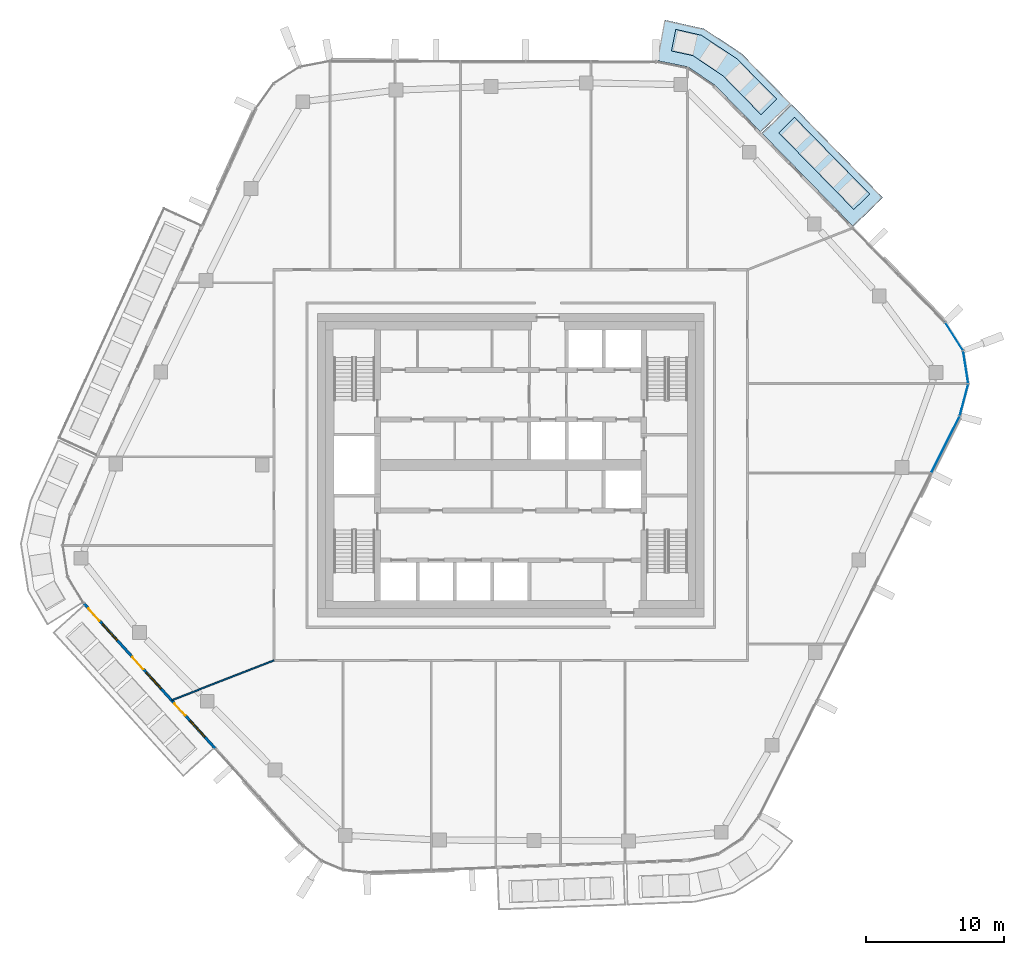
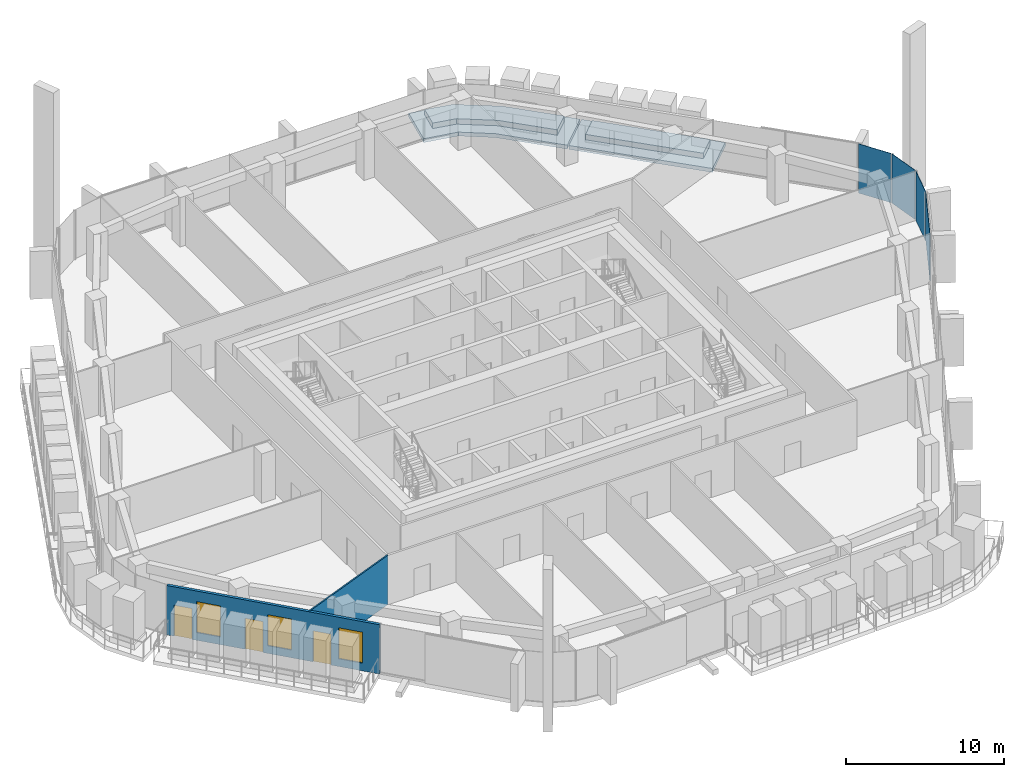
# One storey, part 12 of 24: 4 plates, 4 slabs, 3 doors, 3 windows, 2 walls, 6 openings, 2 elements without a shape of their own.
"""IFC4 building model written with IfcOpenShell, lengths in metres."""

import ifcopenshell
import ifcopenshell.guid

model = None  # the IFC model being written
_history = None  # IfcOwnerHistory: only IFC2X3 demands one
_inside = {}  # id of a spatial element -> (the spatial element, [elements in it])
_under = {}  # id of a project, library or spatial element -> (it, [spatial elements below it])
_declared = {}  # id of a project -> (the project, [libraries it declares])
_typed = {}  # id of a type object -> (the type object, [elements of that type])
_made_of = {}  # id of a material, layer set ... -> (it, [elements and type objects made of it])


def new_model(schema):
    """Start an empty IFC model of exactly this schema.

    Asked for "IFC4X3", IfcOpenShell would pick the latest addendum, in which some entities
    have other attributes; the version numbers below select the first issue.
    IFC2X3 requires an IfcOwnerHistory on every rooted entity: one is made here for all.
    """
    global model, _history
    if schema == "IFC4X3":
        model = ifcopenshell.file(schema_version=(4, 3, 0, 0))
    else:
        model = ifcopenshell.file(schema=schema)
    _inside.clear()
    _under.clear()
    _declared.clear()
    _typed.clear()
    _made_of.clear()
    _history = None
    if model.schema == "IFC2X3":
        org = make("IfcOrganization", Name="unknown")
        user = make(
            "IfcPersonAndOrganization",
            ThePerson=make("IfcPerson", FamilyName="unknown"),
            TheOrganization=org,
        )
        app = make(
            "IfcApplication",
            ApplicationDeveloper=org,
            Version="unknown",
            ApplicationFullName="unknown",
            ApplicationIdentifier="unknown",
        )
        _history = make(
            "IfcOwnerHistory",
            OwningUser=user,
            OwningApplication=app,
            ChangeAction="ADDED",
            CreationDate=0,
        )
    return model


def make(cls, **values):
    """One entity of the class cls with the attributes given. An attribute that is None is left unset."""
    return model.create_entity(
        cls, **{name: value for name, value in values.items() if value is not None}
    )


def rooted(cls, **values):
    """An entity with a GlobalId (a new one), such as an element, a storey or a relation."""
    return make(cls, GlobalId=ifcopenshell.guid.new(), OwnerHistory=_history, **values)


def si_unit(unit_type, name, prefix=None):
    """IfcSIUnit, for example si_unit("LENGTHUNIT", "METRE", prefix="MILLI")."""
    return make("IfcSIUnit", UnitType=unit_type, Prefix=prefix, Name=name)


def assignment(units):
    """IfcUnitAssignment: the units of a project."""
    return None if units is None else make("IfcUnitAssignment", Units=units)


def point(xyz):
    """IfcCartesianPoint."""
    return None if xyz is None else make("IfcCartesianPoint", Coordinates=xyz)


def direction(xyz):
    """IfcDirection."""
    return None if xyz is None else make("IfcDirection", DirectionRatios=xyz)


def frame(location, z_axis=None, x_axis=None):
    """IfcAxis2Placement3D, a coordinate frame: its origin and axes. An axis left out is left unset."""
    return make(
        "IfcAxis2Placement3D",
        Location=point(location),
        Axis=direction(z_axis),
        RefDirection=direction(x_axis),
    )


def frame_2d(location, x_axis=None):
    """IfcAxis2Placement2D, a coordinate frame in the plane: its origin and x axis."""
    return make(
        "IfcAxis2Placement2D", Location=point(location), RefDirection=direction(x_axis)
    )


def origin():
    """The frame at (0, 0, 0) with its axes left unset."""
    return frame((0.0, 0.0, 0.0))


def origin_2d():
    """The frame at (0, 0) in the plane with its x axis left unset."""
    return frame_2d((0.0, 0.0))


def place(relative_to, where):
    """IfcLocalPlacement: puts the frame where relative to a parent placement (None: the world)."""
    return make(
        "IfcLocalPlacement", PlacementRelTo=relative_to, RelativePlacement=where
    )


def context(
    kind, dimensions, precision=None, world=None, true_north=None, identifier=None
):
    """IfcGeometricRepresentationContext, for example the 3D "Model" context."""
    return make(
        "IfcGeometricRepresentationContext",
        ContextIdentifier=identifier,
        ContextType=kind,
        CoordinateSpaceDimension=dimensions,
        Precision=precision,
        WorldCoordinateSystem=world,
        TrueNorth=true_north,
    )


def subcontext(parent, identifier, kind, view, scale=None):
    """IfcGeometricRepresentationSubContext, for example "Body" below "Model"."""
    return make(
        "IfcGeometricRepresentationSubContext",
        ContextIdentifier=identifier,
        ContextType=kind,
        ParentContext=parent,
        TargetScale=scale,
        TargetView=view,
    )


def project(units=None, contexts=None):
    """IfcProject with its units and contexts."""
    return rooted(
        "IfcProject",
        Name="project",
        RepresentationContexts=contexts,
        UnitsInContext=assignment(units),
    )


def spatial(cls, under=None, at=None, **own):
    """A site, building, storey or space (cls), placed at a placement, below another one or the project."""
    s = rooted(cls, ObjectPlacement=at, **own)
    if under is not None:
        _under.setdefault(under.id(), (under, []))[1].append(s)
    return s


def polyline(points):
    """IfcPolyline through the points."""
    return make("IfcPolyline", Points=[point(p) for p in points])


def profile(cls, at=None, kind="AREA", **sizes):
    """A parametric profile (cls). Its sizes go by their IFC names, for example OverallWidth=200.0."""
    return make(cls, ProfileType=kind, Position=at, **sizes)


def rectangle(**sizes):
    """IfcRectangleProfileDef."""
    return profile("IfcRectangleProfileDef", **sizes)


def outline(outer, holes=None, kind="AREA"):
    """IfcArbitraryClosedProfileDef: a profile drawn as a closed curve; with holes, ...WithVoids."""
    if holes is None:
        return make("IfcArbitraryClosedProfileDef", ProfileType=kind, OuterCurve=outer)
    return make(
        "IfcArbitraryProfileDefWithVoids",
        ProfileType=kind,
        OuterCurve=outer,
        InnerCurves=holes,
    )


def extrude(swept, where, along, depth):
    """IfcExtrudedAreaSolid: the profile swept, set in the frame where, extruded along a direction by depth."""
    return make(
        "IfcExtrudedAreaSolid",
        SweptArea=swept,
        Position=where,
        ExtrudedDirection=direction(along),
        Depth=depth,
    )


def shape(context_of_items, identifier, shape_type, items):
    """IfcShapeRepresentation: the items that make up one representation, for example the "Body"."""
    return make(
        "IfcShapeRepresentation",
        ContextOfItems=context_of_items,
        RepresentationIdentifier=identifier,
        RepresentationType=shape_type,
        Items=items,
    )


def material(Name=None, Category=None):
    """IfcMaterial."""
    return make("IfcMaterial", Name=Name, Category=Category)


def layer(
    of_material, thickness, ventilated=None, Name=None, Category=None, Priority=None
):
    """IfcMaterialLayer: one layer of a wall or slab, of a material (None: an air gap)."""
    return make(
        "IfcMaterialLayer",
        Material=of_material,
        LayerThickness=thickness,
        IsVentilated=ventilated,
        Name=Name,
        Category=Category,
        Priority=Priority,
    )


def layer_set(layers, Name=None):
    """IfcMaterialLayerSet."""
    return make("IfcMaterialLayerSet", MaterialLayers=layers, LayerSetName=Name)


def made_of(thing, what):
    """Note that an element or type object is made of a material, layer set ...; save() writes the relation."""
    if what is not None:
        _made_of.setdefault(what.id(), (what, []))[1].append(thing)
    return thing


def type_object(cls, material=None, **own):
    """A type object (cls), such as IfcWallType, which elements share."""
    return made_of(rooted(cls, **own), material)


def element(
    cls,
    number,
    at=None,
    inside=None,
    cuts=None,
    type_object=None,
    material=None,
    context=None,
    identifier="Body",
    shape_type=None,
    held_by="IfcProductDefinitionShape",
    body=None,
    shapes=None,
    **own,
):
    """One element of the class cls, such as IfcWall. Its Tag is "e" and its number.

    at: its placement. inside: the storey or other place that contains it. cuts: it is an
    opening in that element (IfcRelVoidsElement). A single representation is given by context,
    identifier, shape_type and body (its items); several are given by shapes. held_by: the class
    of the entity that holds the representations. save() writes the other relations.
    """
    e = rooted(cls, Tag="e%d" % number, ObjectPlacement=at, **own)
    if body is not None:
        shapes = [shape(context, identifier, shape_type, body)]
    if shapes is not None:
        e.Representation = make(held_by, Representations=shapes)
    if inside is not None:
        _inside.setdefault(inside.id(), (inside, []))[1].append(e)
    if cuts is not None:
        rooted(
            "IfcRelVoidsElement", RelatingBuildingElement=cuts, RelatedOpeningElement=e
        )
    if type_object is not None:
        _typed.setdefault(type_object.id(), (type_object, []))[1].append(e)
    return made_of(e, material)


def fill(opening, filler):
    """IfcRelFillsElement: the door or window that sits in an opening."""
    return rooted(
        "IfcRelFillsElement",
        RelatingOpeningElement=opening,
        RelatedBuildingElement=filler,
    )


def aggregate(whole, parts):
    """IfcRelAggregates: a whole, such as a stair, and the parts it consists of."""
    return rooted("IfcRelAggregates", RelatingObject=whole, RelatedObjects=parts)


def save(model, path):
    """Write the relations noted so far, then the file.

    IfcRelAggregates (storeys below a building ...), IfcRelContainedInSpatialStructure (elements
    in a storey), IfcRelDefinesByType, IfcRelAssociatesMaterial and IfcRelDeclares: one each for
    every whole, place, type object, material and project.
    """
    for whole, parts in _under.values():
        aggregate(whole, parts)
    for where, things in _inside.values():
        rooted(
            "IfcRelContainedInSpatialStructure",
            RelatedElements=things,
            RelatingStructure=where,
        )
    for kind, things in _typed.values():
        rooted("IfcRelDefinesByType", RelatedObjects=things, RelatingType=kind)
    for what, things in _made_of.values():
        rooted("IfcRelAssociatesMaterial", RelatedObjects=things, RelatingMaterial=what)
    for by, libraries in _declared.values():
        rooted("IfcRelDeclares", RelatingContext=by, RelatedDefinitions=libraries)
    model.write(path)


model = new_model("IFC4")

# Units and contexts
model_context = context("Model", 3, precision=1e-05, world=origin(), true_north=direction((0.0, 1.0)))
body_context = subcontext(model_context, "Body", "Model", "MODEL_VIEW")
ifc_project = project(units=[si_unit("LENGTHUNIT", "METRE"), si_unit("AREAUNIT", "SQUARE_METRE"), si_unit("VOLUMEUNIT", "CUBIC_METRE"), si_unit("PLANEANGLEUNIT", "RADIAN"), si_unit("MASSUNIT", "GRAM", prefix="KILO")], contexts=[model_context])

# Site, building, storey
site_placement = place(None, origin())
site = spatial("IfcSite", under=ifc_project, at=site_placement, CompositionType="ELEMENT")
building_placement = place(site_placement, origin())
building = spatial("IfcBuilding", under=site, at=building_placement, Name="Dongbaek Canopy Tower", CompositionType="ELEMENT")
storey_placement = place(building_placement, frame((0.0, 0.0, 306.800048828125)))
storey = spatial("IfcBuildingStorey", under=building, at=storey_placement, Name="L65", CompositionType="ELEMENT", Elevation=306.800048828125)

# Slabs
ifc_material_1 = material(Name="Concrete C40/50", Category="concrete")
ifc_layer_1 = layer(ifc_material_1, 0.300048828125)
ifc_layer_set_1 = layer_set([ifc_layer_1], Name="Balcony slab 300")
slab_type_1 = type_object("IfcSlabType", Name="Balcony slab 300", PredefinedType="FLOOR", material=ifc_layer_set_1)
slab_1_placement = place(storey_placement, frame((0.0, 0.0, -0.300048828125)))
element("IfcSlab", 1, at=slab_1_placement, inside=storey, type_object=slab_type_1, Name="Balcony L65 1", PredefinedType="FLOOR", context=body_context, shape_type="SweptSolid", body=[
    extrude(outline(polyline([(24.81884765625, 17.28271484375), (18.192626953125, 24.05517578125), (20.3369140625, 26.153076171875), (26.963134765625, 19.380859375), (24.81884765625, 17.28271484375)])), origin(), (0.0, 0.0, 1.0), 0.300048828125),
])
slab_2_placement = place(storey_placement, frame((0.0, 0.0, -0.300048828125)))
element("IfcSlab", 2, at=slab_2_placement, inside=storey, type_object=slab_type_1, Name="Balcony L65 5", PredefinedType="FLOOR", context=body_context, shape_type="SweptSolid", body=[
    extrude(outline(polyline([(18.122802734375, 24.12646484375), (14.809814453125, 27.5126953125), (12.853271484375, 28.8447265625), (10.5830078125, 29.306640625), (11.18115234375, 32.246337890625), (14.01953125, 31.60888671875), (16.735595703125, 29.81298828125), (20.26708984375, 26.224609375), (18.122802734375, 24.12646484375)])), origin(), (0.0, 0.0, 1.0), 0.300048828125),
])

# Curtain wall, plates
ifc_material_2 = material(Name="Aluminium 6063-T6 pale anodised", Category="aluminium")
ifc_layer_2 = layer(ifc_material_2, 0.199951171875)
ifc_layer_set_2 = layer_set([ifc_layer_2], Name="CW-1 unitised tower curtain wall")
curtain_wall_type = type_object("IfcCurtainWallType", Name="CW-1 unitised tower curtain wall", PredefinedType="NOTDEFINED", material=ifc_layer_set_2)
curtain_wall_1_placement = place(storey_placement, origin())
curtain_wall_1 = element("IfcCurtainWall", 3, at=curtain_wall_1_placement, inside=storey, type_object=curtain_wall_type, Name="CW-1 curtain wall K0.1", PredefinedType="NOTDEFINED")
ifc_material_3 = material(Name="Clear laminated glass", Category="glass")
ifc_layer_3 = layer(ifc_material_3, 0.028076171875)
ifc_layer_set_3 = layer_set([ifc_layer_3], Name="CW-1 glazed panel 28")
plate_type = type_object("IfcPlateType", Name="CW-1 glazed panel 28", PredefinedType="CURTAIN_PANEL", material=ifc_layer_set_3)
plate_1_placement = place(storey_placement, frame((32.840087890625, 4.72607421875, 0.0), z_axis=(0.0, 0.0, 1.0), x_axis=(0.255710608049, 0.966753373375, 0.0)))
plate_1 = element("IfcPlate", 4, at=plate_1_placement, type_object=plate_type, Name="CW-1 panel K0.1.1.1", PredefinedType="CURTAIN_PANEL", context=body_context, shape_type="SweptSolid", body=[
    extrude(rectangle(XDim=2.346435546875, YDim=0.028076171875, at=origin_2d()), origin(), (0.0, 0.0, 1.0), 3.820068359375),
])
plate_2_placement = place(storey_placement, frame((32.964599609375, 7.096435546875, 0.0), z_axis=(0.0, 0.0, 1.0), x_axis=(-0.154029397181, 0.988066265391, 0.0)))
plate_2 = element("IfcPlate", 5, at=plate_2_placement, type_object=plate_type, Name="CW-1 panel K0.1.2.1", PredefinedType="CURTAIN_PANEL", context=body_context, shape_type="SweptSolid", body=[
    extrude(rectangle(XDim=2.3359375, YDim=0.028076171875, at=origin_2d()), origin(), (0.0, 0.0, 1.0), 3.820068359375),
])
plate_3_placement = place(storey_placement, frame((32.12451171875, 9.31640625, 0.0), z_axis=(0.0, 0.0, 1.0), x_axis=(-0.537839922509, 0.843046984311, 0.0)))
plate_3 = element("IfcPlate", 6, at=plate_3_placement, type_object=plate_type, Name="CW-1 panel K0.1.3.1", PredefinedType="CURTAIN_PANEL", context=body_context, shape_type="SweptSolid", body=[
    extrude(rectangle(XDim=2.346435546875, YDim=0.028076171875, at=origin_2d()), origin(), (0.0, 0.0, 1.0), 3.820068359375),
])
aggregate(curtain_wall_1, [plate_1, plate_2, plate_3])

# Curtain wall, plate
curtain_wall_2_placement = place(storey_placement, origin())
curtain_wall_2 = element("IfcCurtainWall", 7, at=curtain_wall_2_placement, inside=storey, type_object=curtain_wall_type, Name="CW-1 curtain wall F5.1", PredefinedType="NOTDEFINED")
plate_4_placement = place(storey_placement, frame((31.494384765625, 1.489013671875, 0.1201171875), z_axis=(0.0, 0.0, 1.0), x_axis=(0.448598466859, 0.893733414129, 0.0)))
plate_4 = element("IfcPlate", 8, at=plate_4_placement, type_object=plate_type, Name="CW-1 panel F5.1.7.1", PredefinedType="CURTAIN_PANEL", context=body_context, shape_type="SweptSolid", body=[
    extrude(rectangle(XDim=4.531005859375, YDim=0.028076171875, at=origin_2d()), origin(), (0.0, 0.0, 1.0), 3.699951171875),
])
aggregate(curtain_wall_2, [plate_4])

# Slabs
ifc_material_4 = material(Name="Reinforced concrete C40/50 planter box with soil", Category="concrete")
ifc_layer_4 = layer(ifc_material_4, 0.419921875)
ifc_layer_set_4 = layer_set([ifc_layer_4], Name="Terrace planter box 1600 x 420")
slab_type_2 = type_object("IfcSlabType", Name="Terrace planter box 1600 x 420", PredefinedType="USERDEFINED", material=ifc_layer_set_4)
slab_3_placement = place(storey_placement, origin())
element("IfcSlab", 9, at=slab_3_placement, inside=storey, type_object=slab_type_2, Name="Balcony planter L65 1", ObjectType="PLANTER", PredefinedType="USERDEFINED", context=body_context, shape_type="SweptSolid", body=[
    extrude(outline(polyline([(24.8603515625, 18.5126953125), (19.42333984375, 24.06982421875), (20.56689453125, 25.18896484375), (26.004150390625, 19.6318359375), (24.8603515625, 18.5126953125)])), origin(), (0.0, 0.0, 1.0), 0.419921875),
])
slab_4_placement = place(storey_placement, origin())
element("IfcSlab", 10, at=slab_4_placement, inside=storey, type_object=slab_type_2, Name="Balcony planter L65 5", ObjectType="PLANTER", PredefinedType="USERDEFINED", context=body_context, shape_type="SweptSolid", body=[
    extrude(outline(polyline([(18.12939453125, 25.392333984375), (15.381103515625, 28.195068359375), (13.199462890625, 29.664794921875), (11.642578125, 29.999267578125), (11.96142578125, 31.567138671875), (13.8212890625, 31.138916015625), (16.408203125, 29.421875), (19.273193359375, 26.51123046875), (18.12939453125, 25.392333984375)])), origin(), (0.0, 0.0, 1.0), 0.419921875),
])

# Wall
ifc_material_5 = material(Name="Gypsum board partition, steel stud, 2 x 12.5 mm board", Category="steel")
ifc_layer_5 = layer(ifc_material_5, 0.10009765625)
ifc_layer_set_5 = layer_set([ifc_layer_5], Name="Partition 100 gypsum board")
wall_type_1 = type_object("IfcWallType", Name="Partition 100 gypsum board", PredefinedType="PARTITIONING", material=ifc_layer_set_5)
wall_1_placement = place(storey_placement, frame((-24.55029296875, -17.033447265625, 0.0), z_axis=(0.0, 0.0, 1.0), x_axis=(0.931751191714, 0.363097392911, 0.0)))
element("IfcWall", 11, at=wall_1_placement, inside=storey, type_object=wall_type_1, Name="Partition", PredefinedType="PARTITIONING", context=body_context, shape_type="SweptSolid", body=[
    extrude(rectangle(XDim=7.942138671875, YDim=0.10009765625, at=frame_2d((3.97119140625, 0.0))), origin(), (0.0, 0.0, 1.0), 3.820068359375),
])

# Wall, openings, doors, windows
ifc_material_6 = material(Name="Aluminium window wall", Category="aluminium")
ifc_layer_6 = layer(ifc_material_6, 0.199951171875)
ifc_layer_set_6 = layer_set([ifc_layer_6], Name="Window wall 200")
wall_type_2 = type_object("IfcWallType", Name="Window wall 200", PredefinedType="SOLIDWALL", material=ifc_layer_set_6)
wall_2_placement = place(storey_placement, frame((-30.925537109375, -10.022705078125, 0.0), z_axis=(0.0, 0.0, 1.0), x_axis=(0.671222052588, -0.74125633631, 0.0)))
wall_2 = element("IfcWall", 12, at=wall_2_placement, inside=storey, type_object=wall_type_2, Name="Window wall L65 3", PredefinedType="SOLIDWALL", context=body_context, shape_type="SweptSolid", body=[
    extrude(rectangle(XDim=14.2021484375, YDim=0.199951171875, at=frame_2d((7.10107421875, 0.0))), origin(), (0.0, 0.0, 1.0), 3.820068359375),
])
opening_1_placement = place(wall_2_placement, frame((2.0, 0.0, 0.60009765625)))
opening_1 = element("IfcOpeningElement", 13, at=opening_1_placement, cuts=wall_2, Name="Opening W1", PredefinedType="OPENING", context=body_context, shape_type="SweptSolid", body=[
    extrude(rectangle(XDim=1.60009765625, YDim=2.39990234375, at=frame_2d((0.800048828125, 1.199951171875))), frame((0.0, 0.10986328125, 0.0), z_axis=(0.0, -1.0, 0.0), x_axis=(1.0, 0.0, 0.0)), (0.0, 0.0, 1.0), 0.219970703125),
])
opening_2_placement = place(wall_2_placement, frame((0.5, 0.0, 0.0)))
opening_2 = element("IfcOpeningElement", 14, at=opening_2_placement, cuts=wall_2, Name="Opening L65-B09", PredefinedType="OPENING", context=body_context, shape_type="SweptSolid", body=[
    extrude(rectangle(XDim=1.199951171875, YDim=2.39990234375, at=frame_2d((0.60009765625, 1.199951171875))), frame((0.0, 0.10986328125, 0.0), z_axis=(0.0, -1.0, 0.0), x_axis=(1.0, 0.0, 0.0)), (0.0, 0.0, 1.0), 0.219970703125),
])
opening_3_placement = place(wall_2_placement, frame((6.73388671875, 0.0, 0.60009765625)))
opening_3 = element("IfcOpeningElement", 15, at=opening_3_placement, cuts=wall_2, Name="Opening W1", PredefinedType="OPENING", context=body_context, shape_type="SweptSolid", body=[
    extrude(rectangle(XDim=1.60009765625, YDim=2.39990234375, at=frame_2d((0.800048828125, 1.199951171875))), frame((0.0, 0.10986328125, 0.0), z_axis=(0.0, -1.0, 0.0), x_axis=(1.0, 0.0, 0.0)), (0.0, 0.0, 1.0), 0.219970703125),
])
opening_4_placement = place(wall_2_placement, frame((5.23388671875, 0.0, 0.0)))
opening_4 = element("IfcOpeningElement", 16, at=opening_4_placement, cuts=wall_2, Name="Opening L65-B10", PredefinedType="OPENING", context=body_context, shape_type="SweptSolid", body=[
    extrude(rectangle(XDim=1.199951171875, YDim=2.39990234375, at=frame_2d((0.60009765625, 1.199951171875))), frame((0.0, 0.10986328125, 0.0), z_axis=(0.0, -1.0, 0.0), x_axis=(1.0, 0.0, 0.0)), (0.0, 0.0, 1.0), 0.219970703125),
])
opening_5_placement = place(wall_2_placement, frame((11.468017578125, 0.0, 0.60009765625)))
opening_5 = element("IfcOpeningElement", 17, at=opening_5_placement, cuts=wall_2, Name="Opening W1", PredefinedType="OPENING", context=body_context, shape_type="SweptSolid", body=[
    extrude(rectangle(XDim=1.60009765625, YDim=2.39990234375, at=frame_2d((0.800048828125, 1.199951171875))), frame((0.0, 0.10986328125, 0.0), z_axis=(0.0, -1.0, 0.0), x_axis=(1.0, 0.0, 0.0)), (0.0, 0.0, 1.0), 0.219970703125),
])
opening_6_placement = place(wall_2_placement, frame((9.76806640625, 0.0, 0.0)))
opening_6 = element("IfcOpeningElement", 18, at=opening_6_placement, cuts=wall_2, Name="Opening L65-B11", PredefinedType="OPENING", context=body_context, shape_type="SweptSolid", body=[
    extrude(rectangle(XDim=1.199951171875, YDim=2.39990234375, at=frame_2d((0.60009765625, 1.199951171875))), frame((0.0, 0.10986328125, 0.0), z_axis=(0.0, -1.0, 0.0), x_axis=(1.0, 0.0, 0.0)), (0.0, 0.0, 1.0), 0.219970703125),
])
ifc_material_7 = material(Name="Clear glazing in aluminium frame", Category="aluminium")
door_type = type_object("IfcDoorType", Name="Balcony door BD1 1200 x 2400", OperationType="SLIDING_TO_LEFT", PredefinedType="DOOR", material=ifc_material_7)
door_1_placement = place(opening_2_placement, origin())
door_1 = element("IfcDoor", 19, at=door_1_placement, inside=storey, type_object=door_type, Name="Balcony door L65-B09", OperationType="SLIDING_TO_LEFT", OverallHeight=2.39990234375, OverallWidth=1.199951171875, PredefinedType="DOOR", context=body_context, shape_type="SweptSolid", body=[
    extrude(rectangle(XDim=1.199951171875, YDim=2.39990234375, at=frame_2d((0.60009765625, 1.199951171875))), frame((0.0, 0.02490234375, 0.0), z_axis=(0.0, -1.0, 0.0), x_axis=(1.0, 0.0, 0.0)), (0.0, 0.0, 1.0), 0.050048828125),
])
fill(opening_2, door_1)
door_2_placement = place(opening_4_placement, origin())
door_2 = element("IfcDoor", 20, at=door_2_placement, inside=storey, type_object=door_type, Name="Balcony door L65-B10", OperationType="SLIDING_TO_LEFT", OverallHeight=2.39990234375, OverallWidth=1.199951171875, PredefinedType="DOOR", context=body_context, shape_type="SweptSolid", body=[
    extrude(rectangle(XDim=1.199951171875, YDim=2.39990234375, at=frame_2d((0.60009765625, 1.199951171875))), frame((0.0, 0.02490234375, 0.0), z_axis=(0.0, -1.0, 0.0), x_axis=(1.0, 0.0, 0.0)), (0.0, 0.0, 1.0), 0.050048828125),
])
fill(opening_4, door_2)
door_3_placement = place(opening_6_placement, origin())
door_3 = element("IfcDoor", 21, at=door_3_placement, inside=storey, type_object=door_type, Name="Balcony door L65-B11", OperationType="SLIDING_TO_LEFT", OverallHeight=2.39990234375, OverallWidth=1.199951171875, PredefinedType="DOOR", context=body_context, shape_type="SweptSolid", body=[
    extrude(rectangle(XDim=1.199951171875, YDim=2.39990234375, at=frame_2d((0.60009765625, 1.199951171875))), frame((0.0, 0.02490234375, 0.0), z_axis=(0.0, -1.0, 0.0), x_axis=(1.0, 0.0, 0.0)), (0.0, 0.0, 1.0), 0.050048828125),
])
fill(opening_6, door_3)
ifc_material_8 = material(Name="Clear glazing in aluminium frame", Category="aluminium")
window_type = type_object("IfcWindowType", Name="Window W1 1600 x 2400", PartitioningType="SINGLE_PANEL", PredefinedType="WINDOW", material=ifc_material_8)
window_1_placement = place(opening_1_placement, origin())
window_1 = element("IfcWindow", 22, at=window_1_placement, inside=storey, type_object=window_type, Name="Window L65 3.1", OverallHeight=2.39990234375, OverallWidth=1.60009765625, PartitioningType="SINGLE_PANEL", PredefinedType="WINDOW", context=body_context, shape_type="SweptSolid", body=[
    extrude(rectangle(XDim=1.60009765625, YDim=2.39990234375, at=frame_2d((0.800048828125, 1.199951171875))), frame((0.0, 0.030029296875, 0.0), z_axis=(0.0, -1.0, 0.0), x_axis=(1.0, 0.0, 0.0)), (0.0, 0.0, 1.0), 0.06005859375),
])
fill(opening_1, window_1)
window_2_placement = place(opening_3_placement, origin())
window_2 = element("IfcWindow", 23, at=window_2_placement, inside=storey, type_object=window_type, Name="Window L65 3.2", OverallHeight=2.39990234375, OverallWidth=1.60009765625, PartitioningType="SINGLE_PANEL", PredefinedType="WINDOW", context=body_context, shape_type="SweptSolid", body=[
    extrude(rectangle(XDim=1.60009765625, YDim=2.39990234375, at=frame_2d((0.800048828125, 1.199951171875))), frame((0.0, 0.030029296875, 0.0), z_axis=(0.0, -1.0, 0.0), x_axis=(1.0, 0.0, 0.0)), (0.0, 0.0, 1.0), 0.06005859375),
])
fill(opening_3, window_2)
window_3_placement = place(opening_5_placement, origin())
window_3 = element("IfcWindow", 24, at=window_3_placement, inside=storey, type_object=window_type, Name="Window L65 3.3", OverallHeight=2.39990234375, OverallWidth=1.60009765625, PartitioningType="SINGLE_PANEL", PredefinedType="WINDOW", context=body_context, shape_type="SweptSolid", body=[
    extrude(rectangle(XDim=1.60009765625, YDim=2.39990234375, at=frame_2d((0.800048828125, 1.199951171875))), frame((0.0, 0.030029296875, 0.0), z_axis=(0.0, -1.0, 0.0), x_axis=(1.0, 0.0, 0.0)), (0.0, 0.0, 1.0), 0.06005859375),
])
fill(opening_5, window_3)

save(model, "model.ifc")
